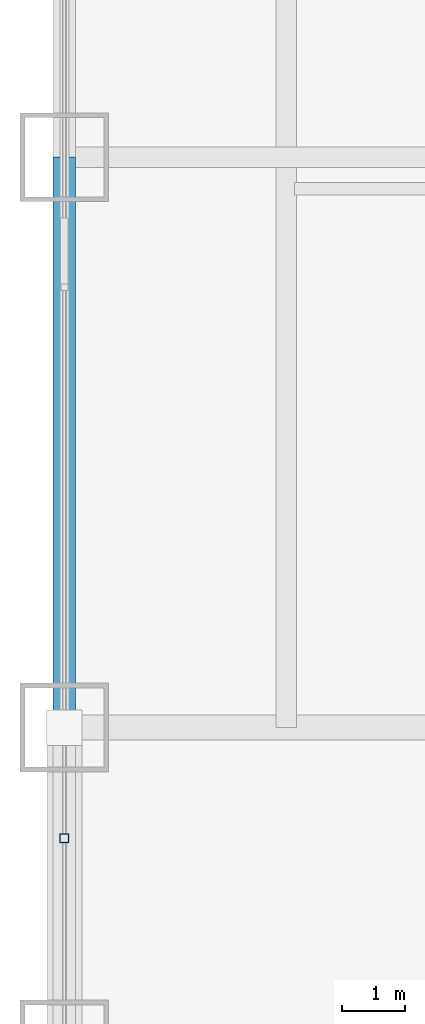
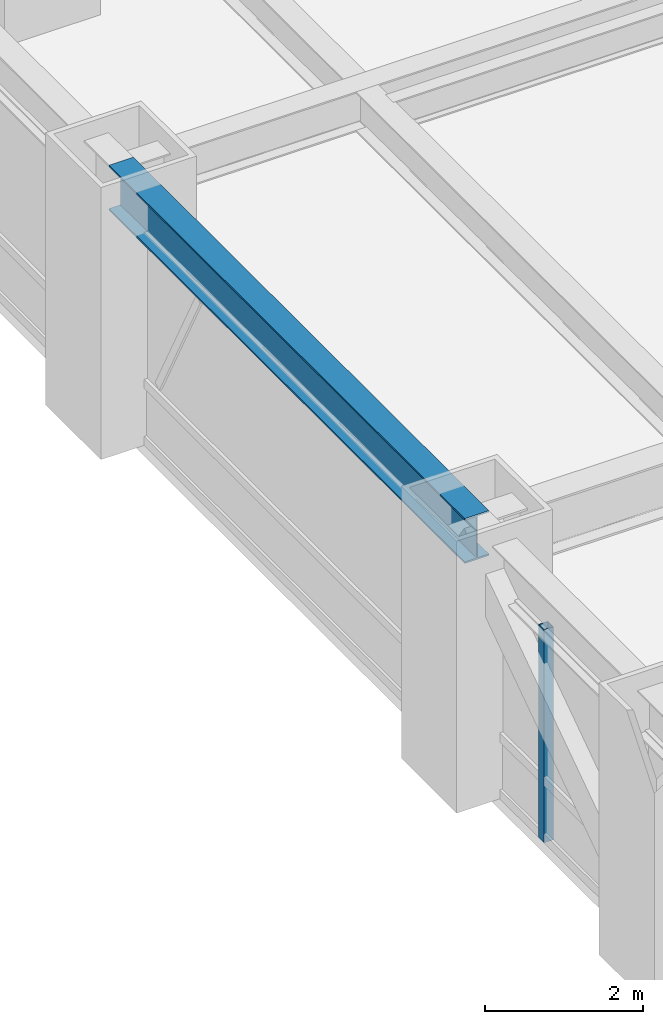
# One storey, part 12 of 28: 1 beam, 1 member, 1 element without a shape of its own.
"""IFC4 building model written with IfcOpenShell, lengths in metres."""

from ifc_helpers import new_model, si_unit, direction, frame, origin, origin_2d, place, context, subcontext, project, spatial, hollow_rectangle, i_section, extrude, source, transform, mapped, material, material_profile, profile_set, type_object, element, aggregate, save


model = new_model("IFC4")

# Units and contexts
model_context = context("Model", 3, precision=1e-05, world=origin(), true_north=direction((0.0, 1.0)))
body_context = subcontext(model_context, "Body", "Model", "MODEL_VIEW")
ifc_project = project(units=[si_unit("LENGTHUNIT", "METRE"), si_unit("AREAUNIT", "SQUARE_METRE"), si_unit("VOLUMEUNIT", "CUBIC_METRE"), si_unit("PLANEANGLEUNIT", "RADIAN"), si_unit("MASSUNIT", "GRAM", prefix="KILO")], contexts=[model_context])

# Site, building, storey
site_placement = place(None, origin())
site = spatial("IfcSite", under=ifc_project, at=site_placement, CompositionType="ELEMENT")
building_placement = place(site_placement, origin())
building = spatial("IfcBuilding", under=site, at=building_placement, Name="Khorayat Bourse Tower", CompositionType="ELEMENT")
storey_placement = place(building_placement, frame((0.0, 0.0, 66.199951171875)))
storey = spatial("IfcBuildingStorey", under=building, at=storey_placement, Name="L14", CompositionType="ELEMENT", Elevation=66.199951171875)

# Beam
ifc_material_1 = material(Name="Steel ASTM A992 Grade 50", Category="steel")
ifc_material_profile_1 = material_profile(ifc_material_1, i_section(OverallWidth=0.35498046875, OverallDepth=0.695068359375, WebThickness=0.015380859375, FlangeThickness=0.02490234375, FilletRadius=0.01806640625, at=origin_2d()), Name="W690X217")
ifc_profile_set_1 = profile_set([ifc_material_profile_1], Name="Steel ASTM A992 Grade 50")
beam_type = type_object("IfcBeamType", Name="BM-SPAN-690", PredefinedType="SPANDREL", material=ifc_profile_set_1)
shared_shape_1 = source(origin(), body_context, "Body", "SweptSolid", [
    extrude(i_section(OverallWidth=0.35498046875, OverallDepth=0.695068359375, WebThickness=0.015380859375, FlangeThickness=0.02490234375, FilletRadius=0.01806640625, at=origin_2d()), origin(), (0.0, 0.0, 1.0), 9.0),
])
beam_placement = place(storey_placement, frame((-32.0, 11.0, 3.592529296875), z_axis=(0.0, 1.0, 0.0), x_axis=(-1.0, 0.0, 0.0)))
element("IfcBeam", 1, at=beam_placement, inside=storey, type_object=beam_type, Name="L14 BM-SPAN-690 BM-L14-SPN-055", PredefinedType="SPANDREL", context=body_context, shape_type="MappedRepresentation", body=[
    mapped(shared_shape_1, transform((0.0, 0.0, 0.0), scale=1.0)),
])

# Curtain wall, member
ifc_material_2 = material(Name="Aluminium EN AW-6063 T6", Category="aluminium")
curtain_wall_type = type_object("IfcCurtainWallType", Name="CW-SYS-02", PredefinedType="NOTDEFINED", material=ifc_material_2)
curtain_wall_placement = place(storey_placement, origin())
curtain_wall = element("IfcCurtainWall", 2, at=curtain_wall_placement, inside=storey, type_object=curtain_wall_type, Name="L14 Curtain Wall CW-L14-W1", PredefinedType="NOTDEFINED")
ifc_material_profile_2 = material_profile(ifc_material_2, hollow_rectangle(XDim=0.139892578125, YDim=0.139892578125, WallThickness=0.006103515625, at=origin_2d()), Name="ALU 140x140x6")
ifc_profile_set_2 = profile_set([ifc_material_profile_2], Name="Aluminium EN AW-6063 T6")
member_type = type_object("IfcMemberType", Name="CWM-VERT-140", PredefinedType="MULLION", material=ifc_profile_set_2)
shared_shape_2 = source(origin(), body_context, "Body", "SweptSolid", [
    extrude(hollow_rectangle(XDim=0.139892578125, YDim=0.139892578125, WallThickness=0.006103515625, at=origin_2d()), origin(), (0.0, 0.0, 1.0), 3.2900390625),
])
member_placement = place(storey_placement, frame((-32.0, 9.25, 0.0), z_axis=(0.0, 0.0, 1.0), x_axis=(-1.0, 0.0, 0.0)))
member = element("IfcMember", 3, at=member_placement, type_object=member_type, Name="CW-L14-W1 Vertical Mullion 3", PredefinedType="MULLION", context=body_context, shape_type="MappedRepresentation", body=[
    mapped(shared_shape_2, transform((0.0, 0.0, 0.0), scale=1.0)),
])
aggregate(curtain_wall, [member])

save(model, "model.ifc")
